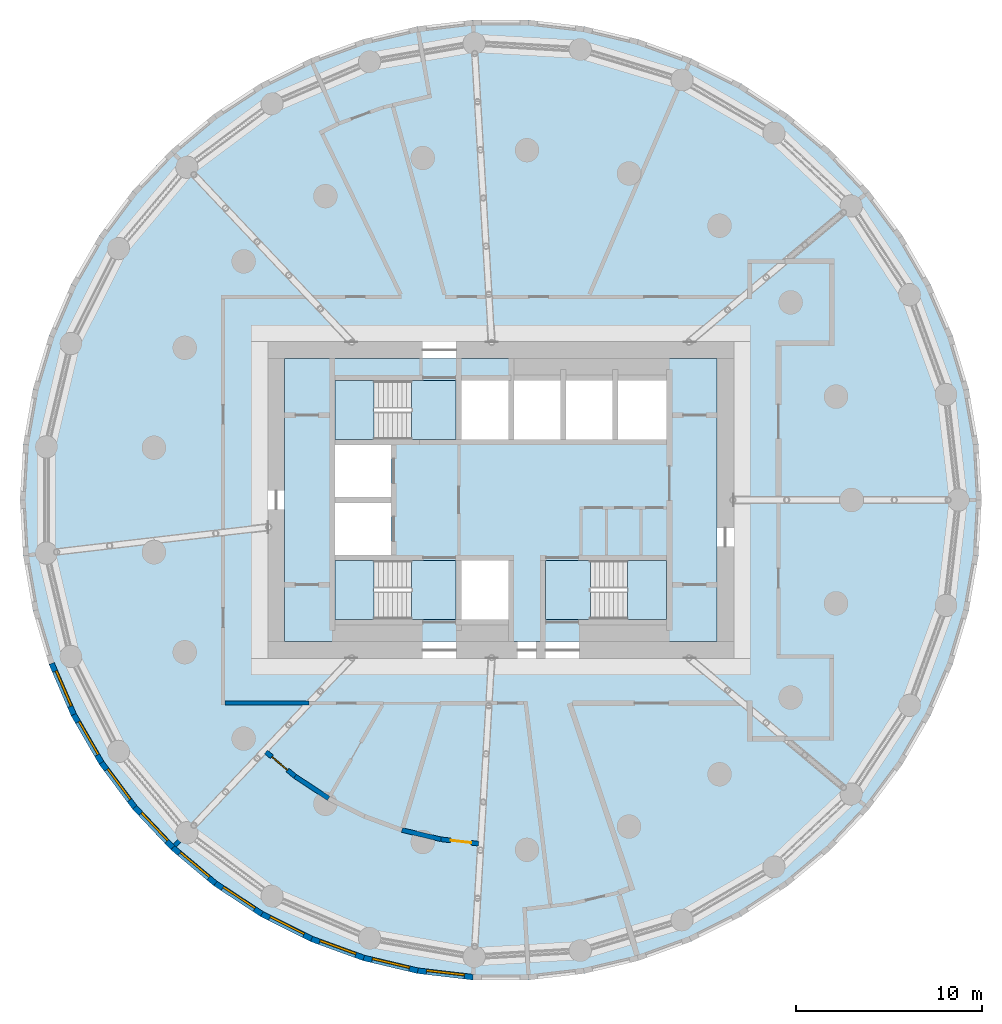
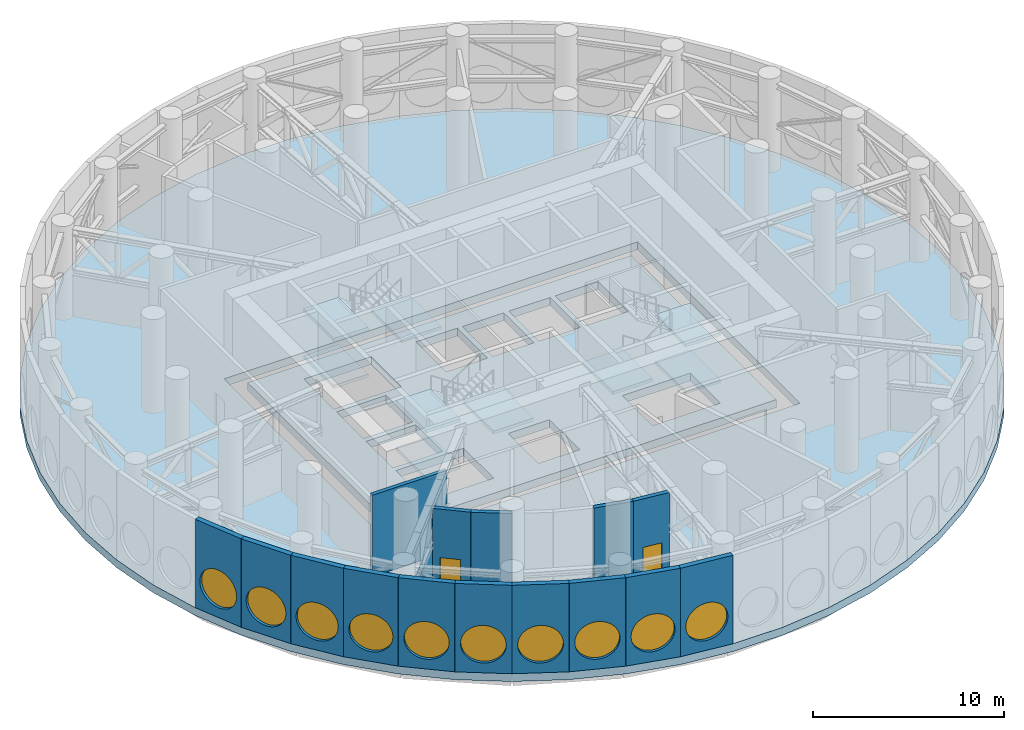
# One storey, part 7 of 15: 16 walls, 11 slabs, 10 windows, 2 doors, 12 openings, 3 elements without a shape of their own.
"""IFC4 building model written with IfcOpenShell, lengths in metres."""

from ifc_helpers import new_model, si_unit, direction, frame, frame_2d, origin, origin_2d, place, context, subcontext, project, spatial, polyline, rectangle, circle, outline, extrude, material, layer, layer_set, type_object, element, fill, aggregate, save


model = new_model("IFC4")

# Units and contexts
model_context = context("Model", 3, precision=1e-05, world=origin(), true_north=direction((0.0, 1.0)))
body_context = subcontext(model_context, "Body", "Model", "MODEL_VIEW")
ifc_project = project(units=[si_unit("LENGTHUNIT", "METRE"), si_unit("AREAUNIT", "SQUARE_METRE"), si_unit("VOLUMEUNIT", "CUBIC_METRE"), si_unit("PLANEANGLEUNIT", "RADIAN"), si_unit("MASSUNIT", "GRAM", prefix="KILO")], contexts=[model_context])

# Site, building, storey
site_placement = place(None, origin())
site = spatial("IfcSite", under=ifc_project, at=site_placement, CompositionType="ELEMENT")
building_placement = place(site_placement, origin())
building = spatial("IfcBuilding", under=site, at=building_placement, Name="Tracery Tower", CompositionType="ELEMENT")
storey_placement = place(building_placement, frame((0.0, 0.0, 225.0)))
storey = spatial("IfcBuildingStorey", under=building, at=storey_placement, Name="L58 Plant", CompositionType="ELEMENT", Elevation=225.0)

# Slabs
ifc_material_1 = material(Name="Concrete C50/60", Category="concrete")
ifc_layer_1 = layer(ifc_material_1, 0.5)
ifc_layer_set_1 = layer_set([ifc_layer_1], Name="Core floor slab 500 C50")
slab_type_1 = type_object("IfcSlabType", Name="Core floor slab 500 C50", PredefinedType="FLOOR", material=ifc_layer_set_1)
slab_1_placement = place(storey_placement, frame((0.0, 0.0, -0.5)))
element("IfcSlab", 1, at=slab_1_placement, inside=storey, type_object=slab_type_1, Name="L58 Plant core floor 1", PredefinedType="FLOOR", context=body_context, shape_type="SweptSolid", body=[
    extrude(outline(polyline([(-11.60009765625, 7.60009765625), (11.60009765625, 7.60009765625), (11.60009765625, -7.60009765625), (-11.60009765625, -7.60009765625), (-11.60009765625, 7.60009765625)]), holes=[polyline([(4.800537109375, -6.39990234375), (8.89990234375, -6.39990234375), (8.89990234375, -3.25), (4.800537109375, -3.25), (4.800537109375, -6.39990234375)]), polyline([(8.89990234375, 3.25), (8.89990234375, 6.39990234375), (6.300048828125, 6.39990234375), (6.300048828125, 3.25), (8.89990234375, 3.25)]), polyline([(6.0, 3.25), (6.0, 6.39990234375), (3.5, 6.39990234375), (3.5, 3.25), (6.0, 3.25)]), polyline([(3.199951171875, 3.25), (3.199951171875, 6.39990234375), (0.699951171875, 6.39990234375), (0.699951171875, 3.25), (3.199951171875, 3.25)]), polyline([(0.39990234375, -6.39990234375), (0.39990234375, -3.25), (-2.10009765625, -3.25), (-2.10009765625, -6.39990234375), (0.39990234375, -6.39990234375)]), polyline([(0.39990234375, 3.25), (0.39990234375, 6.39990234375), (-2.10009765625, 6.39990234375), (-2.10009765625, 3.25), (0.39990234375, 3.25)]), polyline([(-8.89990234375, -3.25), (-8.89990234375, -6.39990234375), (-4.800537109375, -6.39990234375), (-4.800537109375, -3.25), (-8.89990234375, -3.25)]), polyline([(-4.800537109375, 6.39990234375), (-8.89990234375, 6.39990234375), (-8.89990234375, 3.25), (-4.800537109375, 3.25), (-4.800537109375, 6.39990234375)]), polyline([(-5.89990234375, -2.949951171875), (-5.89990234375, -0.14990234375), (-8.89990234375, -0.14990234375), (-8.89990234375, -2.949951171875), (-5.89990234375, -2.949951171875)]), polyline([(-5.89990234375, 0.14990234375), (-5.89990234375, 2.949951171875), (-8.89990234375, 2.949951171875), (-8.89990234375, 0.14990234375), (-5.89990234375, 0.14990234375)])]), origin(), (0.0, 0.0, 1.0), 0.5),
])
ifc_material_2 = material(Name="Concrete C50/60", Category="concrete")
ifc_layer_2 = layer(ifc_material_2, 0.5)
ifc_layer_set_2 = layer_set([ifc_layer_2], Name="Plant floor slab 500")
slab_type_2 = type_object("IfcSlabType", Name="Plant floor slab 500", PredefinedType="FLOOR", material=ifc_layer_set_2)
slab_2_placement = place(storey_placement, frame((0.0, 0.0, -0.5)))
element("IfcSlab", 2, at=slab_2_placement, inside=storey, type_object=slab_type_2, Name="Floor slab L58 Plant", PredefinedType="FLOOR", context=body_context, shape_type="SweptSolid", body=[
    extrude(outline(polyline([(25.797607421875, 0.0), (25.623291015625, 2.994873046875), (25.102294921875, 5.949462890625), (24.241943359375, 8.8232421875), (23.0537109375, 11.577880859375), (21.5537109375, 14.176025390625), (19.76220703125, 16.58251953125), (17.70361328125, 18.7646484375), (15.4052734375, 20.69287109375), (12.89892578125, 22.341552734375), (10.218017578125, 23.68798828125), (7.39892578125, 24.7138671875), (4.479736328125, 25.40576171875), (1.5, 25.754150390625), (-1.5, 25.754150390625), (-4.479736328125, 25.40576171875), (-7.39892578125, 24.7138671875), (-10.218017578125, 23.68798828125), (-12.898681640625, 22.341552734375), (-15.4052734375, 20.69287109375), (-17.70361328125, 18.7646484375), (-19.76220703125, 16.58251953125), (-21.5537109375, 14.176025390625), (-23.0537109375, 11.577880859375), (-24.241943359375, 8.8232421875), (-25.102294921875, 5.949462890625), (-25.623291015625, 2.994873046875), (-25.797607421875, 0.0), (-25.623291015625, -2.994873046875), (-25.102294921875, -5.949462890625), (-24.241943359375, -8.8232421875), (-23.0537109375, -11.577880859375), (-21.5537109375, -14.176025390625), (-19.76220703125, -16.58251953125), (-17.70361328125, -18.7646484375), (-15.4052734375, -20.69287109375), (-12.89892578125, -22.341552734375), (-10.218017578125, -23.68798828125), (-7.39892578125, -24.7138671875), (-4.479736328125, -25.40576171875), (-1.5, -25.754150390625), (1.5, -25.754150390625), (4.479736328125, -25.40576171875), (7.39892578125, -24.7138671875), (10.218017578125, -23.68798828125), (12.89892578125, -22.341552734375), (15.4052734375, -20.69287109375), (17.70361328125, -18.7646484375), (19.76220703125, -16.58251953125), (21.5537109375, -14.176025390625), (23.0537109375, -11.577880859375), (24.241943359375, -8.8232421875), (25.102294921875, -5.949462890625), (25.623291015625, -2.994873046875), (25.797607421875, 0.0)]), holes=[polyline([(-12.5, -8.5), (12.5, -8.5), (12.5, 8.5), (-12.5, 8.5), (-12.5, -8.5)])]), origin(), (0.0, 0.0, 1.0), 0.5),
])

# Stair, slabs
ifc_material_3 = material(Name="Concrete C32/40", Category="concrete")
stair_type = type_object("IfcStairType", Name="Core stair 36 risers", PredefinedType="HALF_TURN_STAIR", material=ifc_material_3)
stair_1_placement = place(storey_placement, origin())
stair_1 = element("IfcStair", 3, at=stair_1_placement, inside=storey, type_object=stair_type, Name="L58 Plant stair ST1", PredefinedType="HALF_TURN_STAIR")
ifc_material_4 = material(Name="Concrete C32/40", Category="concrete")
ifc_layer_3 = layer(ifc_material_4, 0.199951171875)
ifc_layer_set_3 = layer_set([ifc_layer_3], Name="Stair landing slab 200")
slab_type_3 = type_object("IfcSlabType", Name="Stair landing slab 200", PredefinedType="LANDING", material=ifc_layer_set_3)
slab_3_placement = place(storey_placement, frame((0.0, 0.0, 1.300048828125)))
slab_3 = element("IfcSlab", 4, at=slab_3_placement, type_object=slab_type_3, Name="ST1 landing 1", PredefinedType="LANDING", context=body_context, shape_type="SweptSolid", body=[
    extrude(outline(polyline([(-6.79931640625, -3.25), (-8.89990234375, -3.25), (-8.89990234375, -6.39990234375), (-6.79931640625, -6.39990234375), (-6.79931640625, -3.25)])), origin(), (0.0, 0.0, 1.0), 0.199951171875),
])
slab_4_placement = place(storey_placement, frame((0.0, 0.0, 2.800048828125)))
slab_4 = element("IfcSlab", 5, at=slab_4_placement, type_object=slab_type_3, Name="ST1 landing 2", PredefinedType="LANDING", context=body_context, shape_type="SweptSolid", body=[
    extrude(outline(polyline([(-2.39990234375, -3.25), (-4.800537109375, -3.25), (-4.800537109375, -6.39990234375), (-2.39990234375, -6.39990234375), (-2.39990234375, -3.25)])), origin(), (0.0, 0.0, 1.0), 0.199951171875),
])
slab_5_placement = place(storey_placement, frame((0.0, 0.0, 4.300048828125)))
slab_5 = element("IfcSlab", 6, at=slab_5_placement, type_object=slab_type_3, Name="ST1 landing 3", PredefinedType="LANDING", context=body_context, shape_type="SweptSolid", body=[
    extrude(outline(polyline([(-6.79931640625, -3.25), (-8.89990234375, -3.25), (-8.89990234375, -6.39990234375), (-6.79931640625, -6.39990234375), (-6.79931640625, -3.25)])), origin(), (0.0, 0.0, 1.0), 0.199951171875),
])
aggregate(stair_1, [slab_3, slab_4, slab_5])

stair_2_placement = place(storey_placement, origin())
stair_2 = element("IfcStair", 7, at=stair_2_placement, inside=storey, type_object=stair_type, Name="L58 Plant stair ST3", PredefinedType="HALF_TURN_STAIR")
slab_6_placement = place(storey_placement, frame((0.0, 0.0, 1.300048828125)))
slab_6 = element("IfcSlab", 8, at=slab_6_placement, type_object=slab_type_3, Name="ST3 landing 1", PredefinedType="LANDING", context=body_context, shape_type="SweptSolid", body=[
    extrude(outline(polyline([(-6.79931640625, 6.39990234375), (-8.89990234375, 6.39990234375), (-8.89990234375, 3.25), (-6.79931640625, 3.25), (-6.79931640625, 6.39990234375)])), origin(), (0.0, 0.0, 1.0), 0.199951171875),
])
slab_7_placement = place(storey_placement, frame((0.0, 0.0, 2.800048828125)))
slab_7 = element("IfcSlab", 9, at=slab_7_placement, type_object=slab_type_3, Name="ST3 landing 2", PredefinedType="LANDING", context=body_context, shape_type="SweptSolid", body=[
    extrude(outline(polyline([(-2.39990234375, 6.39990234375), (-4.800537109375, 6.39990234375), (-4.800537109375, 3.25), (-2.39990234375, 3.25), (-2.39990234375, 6.39990234375)])), origin(), (0.0, 0.0, 1.0), 0.199951171875),
])
slab_8_placement = place(storey_placement, frame((0.0, 0.0, 4.300048828125)))
slab_8 = element("IfcSlab", 10, at=slab_8_placement, type_object=slab_type_3, Name="ST3 landing 3", PredefinedType="LANDING", context=body_context, shape_type="SweptSolid", body=[
    extrude(outline(polyline([(-6.79931640625, 6.39990234375), (-8.89990234375, 6.39990234375), (-8.89990234375, 3.25), (-6.79931640625, 3.25), (-6.79931640625, 6.39990234375)])), origin(), (0.0, 0.0, 1.0), 0.199951171875),
])
aggregate(stair_2, [slab_6, slab_7, slab_8])

stair_3_placement = place(storey_placement, origin())
stair_3 = element("IfcStair", 11, at=stair_3_placement, inside=storey, type_object=stair_type, Name="L58 Plant stair ST2", PredefinedType="HALF_TURN_STAIR")
slab_9_placement = place(storey_placement, frame((0.0, 0.0, 1.300048828125)))
slab_9 = element("IfcSlab", 12, at=slab_9_placement, type_object=slab_type_3, Name="ST2 landing 1", PredefinedType="LANDING", context=body_context, shape_type="SweptSolid", body=[
    extrude(outline(polyline([(6.79931640625, -6.39990234375), (8.89990234375, -6.39990234375), (8.89990234375, -3.25), (6.79931640625, -3.25), (6.79931640625, -6.39990234375)])), origin(), (0.0, 0.0, 1.0), 0.199951171875),
])
slab_10_placement = place(storey_placement, frame((0.0, 0.0, 2.800048828125)))
slab_10 = element("IfcSlab", 13, at=slab_10_placement, type_object=slab_type_3, Name="ST2 landing 2", PredefinedType="LANDING", context=body_context, shape_type="SweptSolid", body=[
    extrude(outline(polyline([(2.39990234375, -6.39990234375), (4.800537109375, -6.39990234375), (4.800537109375, -3.25), (2.39990234375, -3.25), (2.39990234375, -6.39990234375)])), origin(), (0.0, 0.0, 1.0), 0.199951171875),
])
slab_11_placement = place(storey_placement, frame((0.0, 0.0, 4.300048828125)))
slab_11 = element("IfcSlab", 14, at=slab_11_placement, type_object=slab_type_3, Name="ST2 landing 3", PredefinedType="LANDING", context=body_context, shape_type="SweptSolid", body=[
    extrude(outline(polyline([(6.79931640625, -6.39990234375), (8.89990234375, -6.39990234375), (8.89990234375, -3.25), (6.79931640625, -3.25), (6.79931640625, -6.39990234375)])), origin(), (0.0, 0.0, 1.0), 0.199951171875),
])
aggregate(stair_3, [slab_9, slab_10, slab_11])

# Wall, opening, window
ifc_material_5 = material(Name="Precast concrete C50/60", Category="concrete")
ifc_layer_4 = layer(ifc_material_5, 0.300048828125)
ifc_layer_set_4 = layer_set([ifc_layer_4], Name="Plant louvre panel 3000 x 5650")
wall_type_1 = type_object("IfcWallType", Name="Plant louvre panel 3000 x 5650", PredefinedType="SOLIDWALL", material=ifc_layer_set_4)
wall_1_placement = place(storey_placement, frame((-24.100830078125, -8.77197265625, 0.0), z_axis=(0.0, 0.0, 1.0), x_axis=(0.396111410027, -0.918202456349, 0.0)))
wall_1 = element("IfcWall", 15, at=wall_1_placement, inside=storey, type_object=wall_type_1, Name="Plant louvre panel 31 at L58 Plant", PredefinedType="SOLIDWALL", context=body_context, shape_type="SweptSolid", body=[
    extrude(rectangle(XDim=2.982421875, YDim=0.300048828125, at=frame_2d((1.4912109375, 0.0))), origin(), (0.0, 0.0, 1.0), 5.64990234375),
])
opening_1_placement = place(wall_1_placement, frame((1.4912109375, 0.0, 1.824951171875)))
opening_1 = element("IfcOpeningElement", 16, at=opening_1_placement, cuts=wall_1, Name="Opening LV2", PredefinedType="OPENING", context=body_context, shape_type="SweptSolid", body=[
    extrude(circle(Radius=1.199951171875, at=origin_2d()), frame((0.0, 0.159912109375, 0.0), z_axis=(0.0, -1.0, 0.0), x_axis=(1.0, 0.0, 0.0)), (0.0, 0.0, 1.0), 0.320068359375),
])
ifc_material_6 = material(Name="Aluminium louvre, bronze anodised", Category="aluminium")
window_type = type_object("IfcWindowType", Name="Louvred oculus 2400, sill 625", PartitioningType="SINGLE_PANEL", PredefinedType="WINDOW", material=ifc_material_6)
window_1_placement = place(opening_1_placement, origin())
window_1 = element("IfcWindow", 17, at=window_1_placement, inside=storey, type_object=window_type, Name="Louvred oculus 31 at L58 Plant", OverallHeight=2.39990234375, OverallWidth=2.39990234375, PartitioningType="SINGLE_PANEL", PredefinedType="WINDOW", context=body_context, shape_type="SweptSolid", body=[
    extrude(circle(Radius=1.199951171875, at=origin_2d()), frame((0.0, 0.1201171875, 0.0), z_axis=(0.0, -1.0, 0.0), x_axis=(1.0, 0.0, 0.0)), (0.0, 0.0, 1.0), 0.10009765625),
])
fill(opening_1, window_1)

wall_2_placement = place(storey_placement, frame((-22.91943359375, -11.510498046875, 0.0), z_axis=(0.0, 0.0, 1.0), x_axis=(0.499977539641, -0.866038370891, 0.0)))
wall_2 = element("IfcWall", 18, at=wall_2_placement, inside=storey, type_object=wall_type_1, Name="Plant louvre panel 32 at L58 Plant", PredefinedType="SOLIDWALL", context=body_context, shape_type="SweptSolid", body=[
    extrude(rectangle(XDim=2.982666015625, YDim=0.300048828125, at=frame_2d((1.4912109375, 0.0))), origin(), (0.0, 0.0, 1.0), 5.64990234375),
])
opening_2_placement = place(wall_2_placement, frame((1.4912109375, 0.0, 1.824951171875)))
opening_2 = element("IfcOpeningElement", 19, at=opening_2_placement, cuts=wall_2, Name="Opening LV2", PredefinedType="OPENING", context=body_context, shape_type="SweptSolid", body=[
    extrude(circle(Radius=1.199951171875, at=origin_2d()), frame((0.0, 0.159912109375, 0.0), z_axis=(0.0, -1.0, 0.0), x_axis=(1.0, 0.0, 0.0)), (0.0, 0.0, 1.0), 0.320068359375),
])
window_2_placement = place(opening_2_placement, origin())
window_2 = element("IfcWindow", 20, at=window_2_placement, inside=storey, type_object=window_type, Name="Louvred oculus 32 at L58 Plant", OverallHeight=2.39990234375, OverallWidth=2.39990234375, PartitioningType="SINGLE_PANEL", PredefinedType="WINDOW", context=body_context, shape_type="SweptSolid", body=[
    extrude(circle(Radius=1.199951171875, at=origin_2d()), frame((0.0, 0.1201171875, 0.0), z_axis=(0.0, -1.0, 0.0), x_axis=(1.0, 0.0, 0.0)), (0.0, 0.0, 1.0), 0.10009765625),
])
fill(opening_2, window_2)

wall_3_placement = place(storey_placement, frame((-21.42822265625, -14.093505859375, 0.0), z_axis=(0.0, 0.0, 1.0), x_axis=(0.597206768034, -0.802087324557, 0.0)))
wall_3 = element("IfcWall", 21, at=wall_3_placement, inside=storey, type_object=wall_type_1, Name="Plant louvre panel 33 at L58 Plant", PredefinedType="SOLIDWALL", context=body_context, shape_type="SweptSolid", body=[
    extrude(rectangle(XDim=2.982666015625, YDim=0.300048828125, at=frame_2d((1.4912109375, 0.0))), origin(), (0.0, 0.0, 1.0), 5.64990234375),
])
opening_3_placement = place(wall_3_placement, frame((1.4912109375, 0.0, 1.824951171875)))
opening_3 = element("IfcOpeningElement", 22, at=opening_3_placement, cuts=wall_3, Name="Opening LV2", PredefinedType="OPENING", context=body_context, shape_type="SweptSolid", body=[
    extrude(circle(Radius=1.199951171875, at=origin_2d()), frame((0.0, 0.159912109375, 0.0), z_axis=(0.0, -1.0, 0.0), x_axis=(1.0, 0.0, 0.0)), (0.0, 0.0, 1.0), 0.320068359375),
])
window_3_placement = place(opening_3_placement, origin())
window_3 = element("IfcWindow", 23, at=window_3_placement, inside=storey, type_object=window_type, Name="Louvred oculus 33 at L58 Plant", OverallHeight=2.39990234375, OverallWidth=2.39990234375, PartitioningType="SINGLE_PANEL", PredefinedType="WINDOW", context=body_context, shape_type="SweptSolid", body=[
    extrude(circle(Radius=1.199951171875, at=origin_2d()), frame((0.0, 0.1201171875, 0.0), z_axis=(0.0, -1.0, 0.0), x_axis=(1.0, 0.0, 0.0)), (0.0, 0.0, 1.0), 0.10009765625),
])
fill(opening_3, window_3)

wall_4_placement = place(storey_placement, frame((-19.64697265625, -16.48583984375, 0.0), z_axis=(0.0, 0.0, 1.0), x_axis=(0.686219609698, -0.72739442345, 0.0)))
wall_4 = element("IfcWall", 24, at=wall_4_placement, inside=storey, type_object=wall_type_1, Name="Plant louvre panel 34 at L58 Plant", PredefinedType="SOLIDWALL", context=body_context, shape_type="SweptSolid", body=[
    extrude(rectangle(XDim=2.982421875, YDim=0.300048828125, at=frame_2d((1.4912109375, 0.0))), origin(), (0.0, 0.0, 1.0), 5.64990234375),
])
opening_4_placement = place(wall_4_placement, frame((1.4912109375, 0.0, 1.824951171875)))
opening_4 = element("IfcOpeningElement", 25, at=opening_4_placement, cuts=wall_4, Name="Opening LV2", PredefinedType="OPENING", context=body_context, shape_type="SweptSolid", body=[
    extrude(circle(Radius=1.199951171875, at=origin_2d()), frame((0.0, 0.159912109375, 0.0), z_axis=(0.0, -1.0, 0.0), x_axis=(1.0, 0.0, 0.0)), (0.0, 0.0, 1.0), 0.320068359375),
])
window_4_placement = place(opening_4_placement, origin())
window_4 = element("IfcWindow", 26, at=window_4_placement, inside=storey, type_object=window_type, Name="Louvred oculus 34 at L58 Plant", OverallHeight=2.39990234375, OverallWidth=2.39990234375, PartitioningType="SINGLE_PANEL", PredefinedType="WINDOW", context=body_context, shape_type="SweptSolid", body=[
    extrude(circle(Radius=1.199951171875, at=origin_2d()), frame((0.0, 0.1201171875, 0.0), z_axis=(0.0, -1.0, 0.0), x_axis=(1.0, 0.0, 0.0)), (0.0, 0.0, 1.0), 0.10009765625),
])
fill(opening_4, window_4)

wall_5_placement = place(storey_placement, frame((-17.600341796875, -18.6552734375, 0.0), z_axis=(0.0, 0.0, 1.0), x_axis=(0.766015999952, -0.64282150541, 0.0)))
wall_5 = element("IfcWall", 27, at=wall_5_placement, inside=storey, type_object=wall_type_1, Name="Plant louvre panel 35 at L58 Plant", PredefinedType="SOLIDWALL", context=body_context, shape_type="SweptSolid", body=[
    extrude(rectangle(XDim=2.982421875, YDim=0.300048828125, at=frame_2d((1.4912109375, 0.0))), origin(), (0.0, 0.0, 1.0), 5.64990234375),
])
opening_5_placement = place(wall_5_placement, frame((1.4912109375, 0.0, 1.824951171875)))
opening_5 = element("IfcOpeningElement", 28, at=opening_5_placement, cuts=wall_5, Name="Opening LV2", PredefinedType="OPENING", context=body_context, shape_type="SweptSolid", body=[
    extrude(circle(Radius=1.199951171875, at=origin_2d()), frame((0.0, 0.159912109375, 0.0), z_axis=(0.0, -1.0, 0.0), x_axis=(1.0, 0.0, 0.0)), (0.0, 0.0, 1.0), 0.320068359375),
])
window_5_placement = place(opening_5_placement, origin())
window_5 = element("IfcWindow", 29, at=window_5_placement, inside=storey, type_object=window_type, Name="Louvred oculus 35 at L58 Plant", OverallHeight=2.39990234375, OverallWidth=2.39990234375, PartitioningType="SINGLE_PANEL", PredefinedType="WINDOW", context=body_context, shape_type="SweptSolid", body=[
    extrude(circle(Radius=1.199951171875, at=origin_2d()), frame((0.0, 0.1201171875, 0.0), z_axis=(0.0, -1.0, 0.0), x_axis=(1.0, 0.0, 0.0)), (0.0, 0.0, 1.0), 0.10009765625),
])
fill(opening_5, window_5)

wall_6_placement = place(storey_placement, frame((-15.315673828125, -20.572509765625, 0.0), z_axis=(0.0, 0.0, 1.0), x_axis=(0.835497187922, -0.549494721517, 0.0)))
wall_6 = element("IfcWall", 30, at=wall_6_placement, inside=storey, type_object=wall_type_1, Name="Plant louvre panel 36 at L58 Plant", PredefinedType="SOLIDWALL", context=body_context, shape_type="SweptSolid", body=[
    extrude(rectangle(XDim=2.982666015625, YDim=0.300048828125, at=frame_2d((1.4912109375, 0.0))), origin(), (0.0, 0.0, 1.0), 5.64990234375),
])
opening_6_placement = place(wall_6_placement, frame((1.4912109375, 0.0, 1.824951171875)))
opening_6 = element("IfcOpeningElement", 31, at=opening_6_placement, cuts=wall_6, Name="Opening LV2", PredefinedType="OPENING", context=body_context, shape_type="SweptSolid", body=[
    extrude(circle(Radius=1.199951171875, at=origin_2d()), frame((0.0, 0.159912109375, 0.0), z_axis=(0.0, -1.0, 0.0), x_axis=(1.0, 0.0, 0.0)), (0.0, 0.0, 1.0), 0.320068359375),
])
window_6_placement = place(opening_6_placement, origin())
window_6 = element("IfcWindow", 32, at=window_6_placement, inside=storey, type_object=window_type, Name="Louvred oculus 36 at L58 Plant", OverallHeight=2.39990234375, OverallWidth=2.39990234375, PartitioningType="SINGLE_PANEL", PredefinedType="WINDOW", context=body_context, shape_type="SweptSolid", body=[
    extrude(circle(Radius=1.199951171875, at=origin_2d()), frame((0.0, 0.1201171875, 0.0), z_axis=(0.0, -1.0, 0.0), x_axis=(1.0, 0.0, 0.0)), (0.0, 0.0, 1.0), 0.10009765625),
])
fill(opening_6, window_6)

wall_7_placement = place(storey_placement, frame((-12.82373046875, -22.21142578125, 0.0), z_axis=(0.0, 0.0, 1.0), x_axis=(0.893656390984, -0.448751885626, 0.0)))
wall_7 = element("IfcWall", 33, at=wall_7_placement, inside=storey, type_object=wall_type_1, Name="Plant louvre panel 37 at L58 Plant", PredefinedType="SOLIDWALL", context=body_context, shape_type="SweptSolid", body=[
    extrude(rectangle(XDim=2.982421875, YDim=0.300048828125, at=frame_2d((1.4912109375, 0.0))), origin(), (0.0, 0.0, 1.0), 5.64990234375),
])
opening_7_placement = place(wall_7_placement, frame((1.4912109375, 0.0, 1.824951171875)))
opening_7 = element("IfcOpeningElement", 34, at=opening_7_placement, cuts=wall_7, Name="Opening LV2", PredefinedType="OPENING", context=body_context, shape_type="SweptSolid", body=[
    extrude(circle(Radius=1.199951171875, at=origin_2d()), frame((0.0, 0.159912109375, 0.0), z_axis=(0.0, -1.0, 0.0), x_axis=(1.0, 0.0, 0.0)), (0.0, 0.0, 1.0), 0.320068359375),
])
window_7_placement = place(opening_7_placement, origin())
window_7 = element("IfcWindow", 35, at=window_7_placement, inside=storey, type_object=window_type, Name="Louvred oculus 37 at L58 Plant", OverallHeight=2.39990234375, OverallWidth=2.39990234375, PartitioningType="SINGLE_PANEL", PredefinedType="WINDOW", context=body_context, shape_type="SweptSolid", body=[
    extrude(circle(Radius=1.199951171875, at=origin_2d()), frame((0.0, 0.1201171875, 0.0), z_axis=(0.0, -1.0, 0.0), x_axis=(1.0, 0.0, 0.0)), (0.0, 0.0, 1.0), 0.10009765625),
])
fill(opening_7, window_7)

wall_8_placement = place(storey_placement, frame((-10.158447265625, -23.5498046875, 0.0), z_axis=(0.0, 0.0, 1.0), x_axis=(0.939676264274, -0.342065079129, 0.0)))
wall_8 = element("IfcWall", 36, at=wall_8_placement, inside=storey, type_object=wall_type_1, Name="Plant louvre panel 38 at L58 Plant", PredefinedType="SOLIDWALL", context=body_context, shape_type="SweptSolid", body=[
    extrude(rectangle(XDim=2.982666015625, YDim=0.300048828125, at=frame_2d((1.4912109375, 0.0))), origin(), (0.0, 0.0, 1.0), 5.64990234375),
])
opening_8_placement = place(wall_8_placement, frame((1.4912109375, 0.0, 1.824951171875)))
opening_8 = element("IfcOpeningElement", 37, at=opening_8_placement, cuts=wall_8, Name="Opening LV2", PredefinedType="OPENING", context=body_context, shape_type="SweptSolid", body=[
    extrude(circle(Radius=1.199951171875, at=origin_2d()), frame((0.0, 0.159912109375, 0.0), z_axis=(0.0, -1.0, 0.0), x_axis=(1.0, 0.0, 0.0)), (0.0, 0.0, 1.0), 0.320068359375),
])
window_8_placement = place(opening_8_placement, origin())
window_8 = element("IfcWindow", 38, at=window_8_placement, inside=storey, type_object=window_type, Name="Louvred oculus 38 at L58 Plant", OverallHeight=2.39990234375, OverallWidth=2.39990234375, PartitioningType="SINGLE_PANEL", PredefinedType="WINDOW", context=body_context, shape_type="SweptSolid", body=[
    extrude(circle(Radius=1.199951171875, at=origin_2d()), frame((0.0, 0.1201171875, 0.0), z_axis=(0.0, -1.0, 0.0), x_axis=(1.0, 0.0, 0.0)), (0.0, 0.0, 1.0), 0.10009765625),
])
fill(opening_8, window_8)

wall_9_placement = place(storey_placement, frame((-7.355712890625, -24.570068359375, 0.0), z_axis=(0.0, 0.0, 1.0), x_axis=(0.973049843813, -0.230594886012, 0.0)))
wall_9 = element("IfcWall", 39, at=wall_9_placement, inside=storey, type_object=wall_type_1, Name="Plant louvre panel 39 at L58 Plant", PredefinedType="SOLIDWALL", context=body_context, shape_type="SweptSolid", body=[
    extrude(rectangle(XDim=2.982421875, YDim=0.300048828125, at=frame_2d((1.4912109375, 0.0))), origin(), (0.0, 0.0, 1.0), 5.64990234375),
])
opening_9_placement = place(wall_9_placement, frame((1.4912109375, 0.0, 1.824951171875)))
opening_9 = element("IfcOpeningElement", 40, at=opening_9_placement, cuts=wall_9, Name="Opening LV2", PredefinedType="OPENING", context=body_context, shape_type="SweptSolid", body=[
    extrude(circle(Radius=1.199951171875, at=origin_2d()), frame((0.0, 0.159912109375, 0.0), z_axis=(0.0, -1.0, 0.0), x_axis=(1.0, 0.0, 0.0)), (0.0, 0.0, 1.0), 0.320068359375),
])
window_9_placement = place(opening_9_placement, origin())
window_9 = element("IfcWindow", 41, at=window_9_placement, inside=storey, type_object=window_type, Name="Louvred oculus 39 at L58 Plant", OverallHeight=2.39990234375, OverallWidth=2.39990234375, PartitioningType="SINGLE_PANEL", PredefinedType="WINDOW", context=body_context, shape_type="SweptSolid", body=[
    extrude(circle(Radius=1.199951171875, at=origin_2d()), frame((0.0, 0.1201171875, 0.0), z_axis=(0.0, -1.0, 0.0), x_axis=(1.0, 0.0, 0.0)), (0.0, 0.0, 1.0), 0.10009765625),
])
fill(opening_9, window_9)

wall_10_placement = place(storey_placement, frame((-4.45361328125, -25.2578125, 0.0), z_axis=(0.0, 0.0, 1.0), x_axis=(0.993240822844, -0.116071821888, 0.0)))
wall_10 = element("IfcWall", 42, at=wall_10_placement, inside=storey, type_object=wall_type_1, Name="Plant louvre panel 40 at L58 Plant", PredefinedType="SOLIDWALL", context=body_context, shape_type="SweptSolid", body=[
    extrude(rectangle(XDim=2.982666015625, YDim=0.300048828125, at=frame_2d((1.4912109375, 0.0))), origin(), (0.0, 0.0, 1.0), 5.64990234375),
])
opening_10_placement = place(wall_10_placement, frame((1.4912109375, 0.0, 1.824951171875)))
opening_10 = element("IfcOpeningElement", 43, at=opening_10_placement, cuts=wall_10, Name="Opening LV2", PredefinedType="OPENING", context=body_context, shape_type="SweptSolid", body=[
    extrude(circle(Radius=1.199951171875, at=origin_2d()), frame((0.0, 0.159912109375, 0.0), z_axis=(0.0, -1.0, 0.0), x_axis=(1.0, 0.0, 0.0)), (0.0, 0.0, 1.0), 0.320068359375),
])
window_10_placement = place(opening_10_placement, origin())
window_10 = element("IfcWindow", 44, at=window_10_placement, inside=storey, type_object=window_type, Name="Louvred oculus 40 at L58 Plant", OverallHeight=2.39990234375, OverallWidth=2.39990234375, PartitioningType="SINGLE_PANEL", PredefinedType="WINDOW", context=body_context, shape_type="SweptSolid", body=[
    extrude(circle(Radius=1.199951171875, at=origin_2d()), frame((0.0, 0.1201171875, 0.0), z_axis=(0.0, -1.0, 0.0), x_axis=(1.0, 0.0, 0.0)), (0.0, 0.0, 1.0), 0.10009765625),
])
fill(opening_10, window_10)

# Walls
ifc_material_7 = material(Name="Concrete blockwork", Category="masonry")
ifc_layer_5 = layer(ifc_material_7, 0.22509765625)
ifc_layer_set_5 = layer_set([ifc_layer_5], Name="Plant room block wall 225")
wall_type_2 = type_object("IfcWallType", Name="Plant room block wall 225", PredefinedType="PARTITIONING", material=ifc_layer_set_5)
wall_11_placement = place(storey_placement, frame((-14.78759765625, -10.89990234375, 0.0), z_axis=(0.0, 0.0, 1.0), x_axis=(1.0, 0.0, 0.0)))
element("IfcWall", 45, at=wall_11_placement, inside=storey, type_object=wall_type_2, Name="Plant room block wall 225", PredefinedType="PARTITIONING", context=body_context, shape_type="SweptSolid", body=[
    extrude(rectangle(XDim=4.50390625, YDim=0.22509765625, at=frame_2d((2.251953125, 0.0))), origin(), (0.0, 0.0, 1.0), 5.199951171875),
])
ifc_material_8 = material(Name="Concrete blockwork", Category="masonry")
ifc_layer_6 = layer(ifc_material_8, 0.22509765625)
ifc_layer_set_6 = layer_set([ifc_layer_6], Name="Plant wall under outrigger truss 225")
wall_type_3 = type_object("IfcWallType", Name="Plant wall under outrigger truss 225", PredefinedType="PARTITIONING", material=ifc_layer_set_6)
wall_12_placement = place(storey_placement, frame((-17.497314453125, -18.5458984375, 0.0), z_axis=(0.0, 0.0, 1.0), x_axis=(0.686253135809, 0.727362793654, 0.0)))
element("IfcWall", 46, at=wall_12_placement, inside=storey, type_object=wall_type_3, Name="Plant wall under outrigger truss 225", PredefinedType="PARTITIONING", context=body_context, shape_type="SweptSolid", body=[
    extrude(rectangle(XDim=10.357177734375, YDim=0.22509765625, at=frame_2d((5.1787109375, 0.0))), origin(), (0.0, 0.0, 1.0), 2.699951171875),
])

# Wall, opening, door
ifc_material_9 = material(Name="Concrete blockwork", Category="masonry")
ifc_layer_7 = layer(ifc_material_9, 0.25)
ifc_layer_set_7 = layer_set([ifc_layer_7], Name="Refuge block wall 250")
wall_type_4 = type_object("IfcWallType", Name="Refuge block wall 250", PredefinedType="PARTITIONING", material=ifc_layer_set_7)
wall_13_placement = place(storey_placement, frame((-11.038818359375, -14.827392578125, 0.0), z_axis=(0.0, 0.0, 1.0), x_axis=(-0.766021768974, 0.642814630713, 0.0)))
wall_13 = element("IfcWall", 47, at=wall_13_placement, inside=storey, type_object=wall_type_4, Name="Refuge block wall 250", PredefinedType="PARTITIONING", context=body_context, shape_type="SweptSolid", body=[
    extrude(rectangle(XDim=2.032958984375, YDim=0.25, at=frame_2d((1.0166015625, 0.0))), origin(), (0.0, 0.0, 1.0), 5.199951171875),
])
opening_11_placement = place(wall_13_placement, frame((0.52490234375, 0.0, 0.0)))
opening_11 = element("IfcOpeningElement", 48, at=opening_11_placement, cuts=wall_13, Name="Opening SB-P58-14", PredefinedType="OPENING", context=body_context, shape_type="SweptSolid", body=[
    extrude(rectangle(XDim=1.10009765625, YDim=2.10009765625, at=frame_2d((0.550048828125, 1.050048828125))), frame((0.0, 0.125, 0.0), z_axis=(0.0, -1.0, 0.0), x_axis=(1.0, 0.0, 0.0)), (0.0, 0.0, 1.0), 0.25),
])
ifc_material_10 = material(Name="Steel fire door", Category="steel")
door_type = type_object("IfcDoorType", Name="Refuge door 1100", OperationType="NOTDEFINED", PredefinedType="DOOR", material=ifc_material_10)
door_1_placement = place(opening_11_placement, origin())
door_1 = element("IfcDoor", 49, at=door_1_placement, inside=storey, type_object=door_type, Name="Refuge door 1100", OperationType="SINGLE_SWING_RIGHT", OverallHeight=2.10009765625, OverallWidth=1.10009765625, PredefinedType="DOOR", context=body_context, shape_type="SweptSolid", body=[
    extrude(rectangle(XDim=1.10009765625, YDim=2.10009765625, at=frame_2d((0.550048828125, 1.050048828125))), frame((0.0, 0.02490234375, 0.0), z_axis=(0.0, -1.0, 0.0), x_axis=(1.0, 0.0, 0.0)), (0.0, 0.0, 1.0), 0.050048828125),
])
fill(opening_11, door_1)

# Walls
wall_14_placement = place(storey_placement, frame((-11.038818359375, -14.827392578125, 0.0), z_axis=(0.0, 0.0, 1.0), x_axis=(0.835476081401, -0.549526812274, 0.0)))
element("IfcWall", 50, at=wall_14_placement, inside=storey, type_object=wall_type_4, Name="Refuge block wall 250", PredefinedType="PARTITIONING", context=body_context, shape_type="SweptSolid", body=[
    extrude(rectangle(XDim=2.14990234375, YDim=0.25, at=frame_2d((1.074951171875, 0.0))), origin(), (0.0, 0.0, 1.0), 5.199951171875),
])
wall_15_placement = place(storey_placement, frame((-5.3017578125, -17.708740234375, 0.0), z_axis=(0.0, 0.0, 1.0), x_axis=(0.973036034562, -0.230653149649, 0.0)))
element("IfcWall", 51, at=wall_15_placement, inside=storey, type_object=wall_type_4, Name="Refuge block wall 250", PredefinedType="PARTITIONING", context=body_context, shape_type="SweptSolid", body=[
    extrude(rectangle(XDim=2.149658203125, YDim=0.25, at=frame_2d((1.07470703125, 0.0))), origin(), (0.0, 0.0, 1.0), 5.199951171875),
])

# Wall, opening, door
wall_16_placement = place(storey_placement, frame((-3.2099609375, -18.20458984375, 0.0), z_axis=(0.0, 0.0, 1.0), x_axis=(0.993238011892, -0.116095873021, 0.0)))
wall_16 = element("IfcWall", 52, at=wall_16_placement, inside=storey, type_object=wall_type_4, Name="Refuge block wall 250", PredefinedType="PARTITIONING", context=body_context, shape_type="SweptSolid", body=[
    extrude(rectangle(XDim=2.033447265625, YDim=0.25, at=frame_2d((1.0166015625, 0.0))), origin(), (0.0, 0.0, 1.0), 5.199951171875),
])
opening_12_placement = place(wall_16_placement, frame((0.52490234375, 0.0, 0.0)))
opening_12 = element("IfcOpeningElement", 53, at=opening_12_placement, cuts=wall_16, Name="Opening SB-P58-15", PredefinedType="OPENING", context=body_context, shape_type="SweptSolid", body=[
    extrude(rectangle(XDim=1.10009765625, YDim=2.10009765625, at=frame_2d((0.550048828125, 1.050048828125))), frame((0.0, 0.125, 0.0), z_axis=(0.0, -1.0, 0.0), x_axis=(1.0, 0.0, 0.0)), (0.0, 0.0, 1.0), 0.25),
])
door_2_placement = place(opening_12_placement, origin())
door_2 = element("IfcDoor", 54, at=door_2_placement, inside=storey, type_object=door_type, Name="Refuge door 1100", OperationType="SINGLE_SWING_LEFT", OverallHeight=2.10009765625, OverallWidth=1.10009765625, PredefinedType="DOOR", context=body_context, shape_type="SweptSolid", body=[
    extrude(rectangle(XDim=1.10009765625, YDim=2.10009765625, at=frame_2d((0.550048828125, 1.050048828125))), frame((0.0, 0.02490234375, 0.0), z_axis=(0.0, -1.0, 0.0), x_axis=(1.0, 0.0, 0.0)), (0.0, 0.0, 1.0), 0.050048828125),
])
fill(opening_12, door_2)

save(model, "model.ifc")
